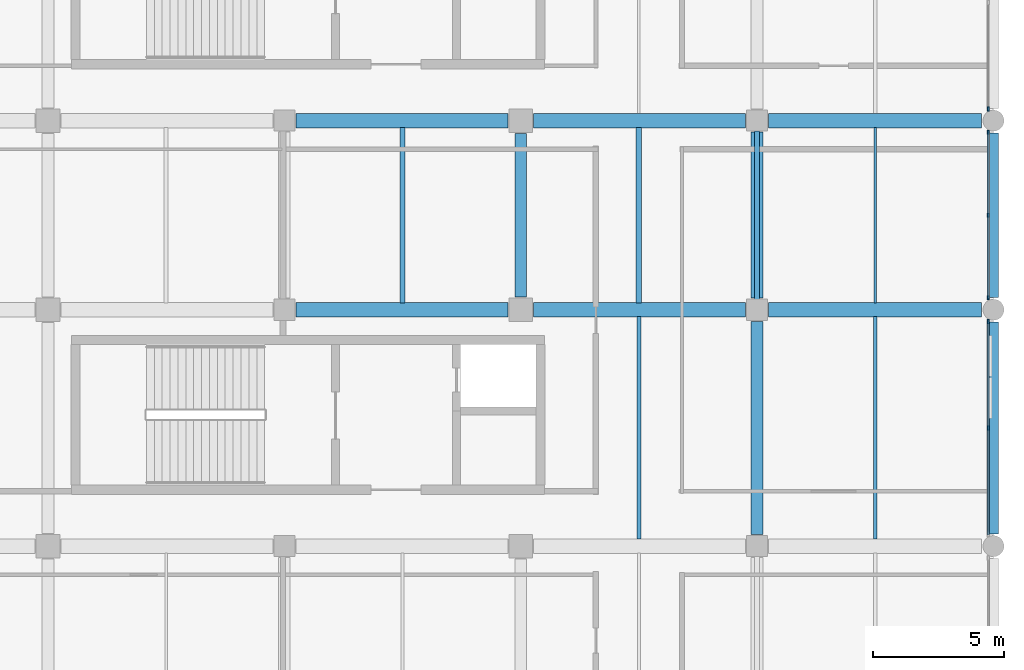
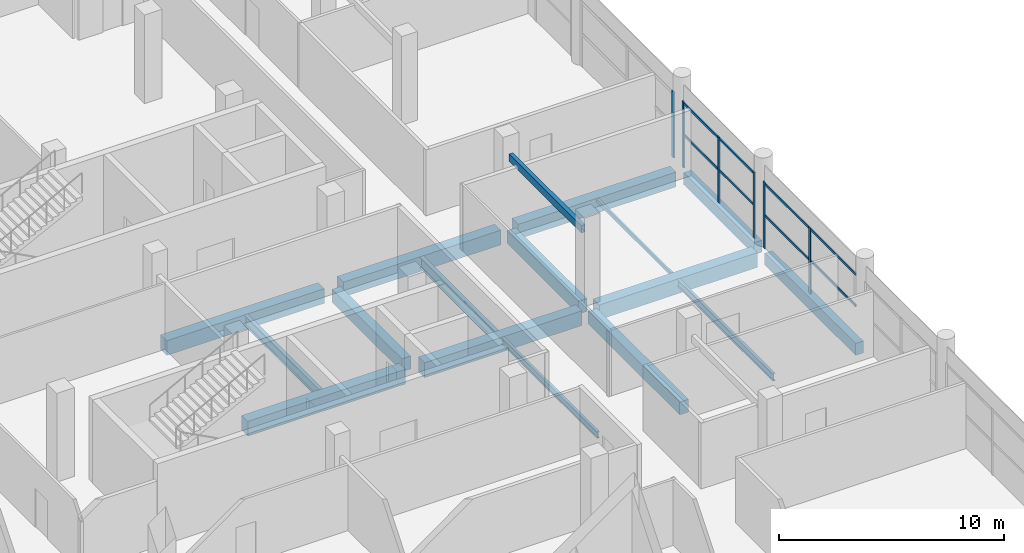
# One storey, part 39 of 111: 16 beams, 11 members, 3 elements without a shape of their own.
"""IFC4 building model written with IfcOpenShell, lengths in metres."""

from ifc_helpers import new_model, si_unit, direction, frame, origin, origin_2d, place, context, subcontext, project, spatial, rectangle, hollow_rectangle, i_section, extrude, material, material_profile, profile_set, type_object, element, aggregate, save


model = new_model("IFC4")

# Units and contexts
model_context = context("Model", 3, precision=1e-05, world=origin(), true_north=direction((0.0, 1.0)))
body_context = subcontext(model_context, "Body", "Model", "MODEL_VIEW")
ifc_project = project(units=[si_unit("LENGTHUNIT", "METRE"), si_unit("AREAUNIT", "SQUARE_METRE"), si_unit("VOLUMEUNIT", "CUBIC_METRE"), si_unit("PLANEANGLEUNIT", "RADIAN"), si_unit("MASSUNIT", "GRAM", prefix="KILO"), si_unit("THERMODYNAMICTEMPERATUREUNIT", "KELVIN"), si_unit("POWERUNIT", "WATT")], contexts=[model_context])

# Site, building, storey
site_placement = place(None, origin())
site = spatial("IfcSite", under=ifc_project, at=site_placement, CompositionType="ELEMENT")
building_placement = place(site_placement, origin())
building = spatial("IfcBuilding", under=site, at=building_placement, Name="Sindhuravela Promenade Stadium", CompositionType="ELEMENT")
storey_placement = place(building_placement, frame((0.0, 0.0, 9.60009765625)))
storey = spatial("IfcBuildingStorey", under=building, at=storey_placement, Name="L02", CompositionType="ELEMENT", Elevation=9.60009765625)

# Curtain wall, member
ifc_material_1 = material(Name="Anodised architectural aluminium 6063-T6", Category="aluminium")
curtain_wall_type_1 = type_object("IfcCurtainWallType", Name="CW-MOD-5", PredefinedType="NOTDEFINED", material=ifc_material_1)
curtain_wall_1_placement = place(storey_placement, origin())
curtain_wall_1 = element("IfcCurtainWall", 1, at=curtain_wall_1_placement, inside=storey, type_object=curtain_wall_type_1, Name="Bronze curtain wall CW-EAST-L02-108", PredefinedType="NOTDEFINED")
ifc_material_profile_1 = material_profile(ifc_material_1, rectangle(XDim=0.074951171875, YDim=0.175048828125, at=origin_2d()), Name="ALU MULL 75x175")
ifc_profile_set_1 = profile_set([ifc_material_profile_1], Name="Anodised architectural aluminium 6063-T6")
member_type_1 = type_object("IfcMemberType", Name="CW-MUL-1", PredefinedType="MULLION", material=ifc_profile_set_1)
member_1_placement = place(storey_placement, frame((215.800048828125, 101.25, 0.0), z_axis=(0.0, 0.0, 1.0), x_axis=(1.0, 0.0, 0.0)))
member_1 = element("IfcMember", 2, at=member_1_placement, type_object=member_type_1, Name="Curtain wall mullion CW-EAST-L02-108-M3", PredefinedType="MULLION", context=body_context, shape_type="SweptSolid", body=[
    extrude(rectangle(XDim=0.074951171875, YDim=0.175048828125, at=origin_2d()), origin(), (0.0, 0.0, 1.0), 3.579833984375),
])
aggregate(curtain_wall_1, [member_1])

# Curtain wall, members
curtain_wall_type_2 = type_object("IfcCurtainWallType", Name="CW-MOD-6", PredefinedType="NOTDEFINED", material=ifc_material_1)
curtain_wall_2_placement = place(storey_placement, origin())
curtain_wall_2 = element("IfcCurtainWall", 3, at=curtain_wall_2_placement, inside=storey, type_object=curtain_wall_type_2, Name="Bronze curtain wall CW-EAST-L02-109", PredefinedType="NOTDEFINED")
ifc_material_profile_2 = material_profile(ifc_material_1, rectangle(XDim=0.06494140625, YDim=0.14990234375, at=origin_2d()), Name="ALU MULL 65x150")
ifc_profile_set_2 = profile_set([ifc_material_profile_2], Name="Anodised architectural aluminium 6063-T6")
member_type_2 = type_object("IfcMemberType", Name="CW-MUL-2", PredefinedType="MULLION", material=ifc_profile_set_2)
member_2_placement = place(storey_placement, frame((215.800048828125, 100.35009765625, 0.0), z_axis=(0.0, 0.0, 1.0), x_axis=(1.0, 0.0, 0.0)))
member_2 = element("IfcMember", 4, at=member_2_placement, type_object=member_type_2, Name="Curtain wall mullion CW-EAST-L02-109-M1", PredefinedType="MULLION", context=body_context, shape_type="SweptSolid", body=[
    extrude(rectangle(XDim=0.06494140625, YDim=0.14990234375, at=origin_2d()), origin(), (0.0, 0.0, 1.0), 3.579833984375),
])
member_3_placement = place(storey_placement, frame((215.800048828125, 97.199951171875, 0.0), z_axis=(0.0, 0.0, 1.0), x_axis=(1.0, 0.0, 0.0)))
member_3 = element("IfcMember", 5, at=member_3_placement, type_object=member_type_2, Name="Curtain wall mullion CW-EAST-L02-109-M2", PredefinedType="MULLION", context=body_context, shape_type="SweptSolid", body=[
    extrude(rectangle(XDim=0.06494140625, YDim=0.14990234375, at=origin_2d()), origin(), (0.0, 0.0, 1.0), 3.579833984375),
])
member_4_placement = place(storey_placement, frame((215.800048828125, 94.050048828125, 0.0), z_axis=(0.0, 0.0, 1.0), x_axis=(1.0, 0.0, 0.0)))
member_4 = element("IfcMember", 6, at=member_4_placement, type_object=member_type_2, Name="Curtain wall mullion CW-EAST-L02-109-M3", PredefinedType="MULLION", context=body_context, shape_type="SweptSolid", body=[
    extrude(rectangle(XDim=0.06494140625, YDim=0.14990234375, at=origin_2d()), origin(), (0.0, 0.0, 1.0), 3.579833984375),
])

curtain_wall_type_3 = type_object("IfcCurtainWallType", Name="CW-MOD-7", PredefinedType="NOTDEFINED", material=ifc_material_1)
curtain_wall_3_placement = place(storey_placement, origin())
curtain_wall_3 = element("IfcCurtainWall", 7, at=curtain_wall_3_placement, inside=storey, type_object=curtain_wall_type_3, Name="Bronze curtain wall CW-EAST-L02-110", PredefinedType="NOTDEFINED")
ifc_material_profile_3 = material_profile(ifc_material_1, rectangle(XDim=0.06005859375, YDim=0.179931640625, at=origin_2d()), Name="ALU M60x180")
ifc_profile_set_3 = profile_set([ifc_material_profile_3], Name="Anodised architectural aluminium 6063-T6")
member_type_3 = type_object("IfcMemberType", Name="CW-MUL-3", PredefinedType="MULLION", material=ifc_profile_set_3)
member_5_placement = place(storey_placement, frame((215.800048828125, 93.14990234375, 0.0), z_axis=(0.0, 0.0, 1.0), x_axis=(1.0, 0.0, 0.0)))
member_5 = element("IfcMember", 8, at=member_5_placement, type_object=member_type_3, Name="Curtain wall mullion CW-EAST-L02-110-M1", PredefinedType="MULLION", context=body_context, shape_type="SweptSolid", body=[
    extrude(rectangle(XDim=0.06005859375, YDim=0.179931640625, at=origin_2d()), origin(), (0.0, 0.0, 1.0), 3.579833984375),
])
member_6_placement = place(storey_placement, frame((215.800048828125, 89.10009765625, 0.0), z_axis=(0.0, 0.0, 1.0), x_axis=(1.0, 0.0, 0.0)))
member_6 = element("IfcMember", 9, at=member_6_placement, type_object=member_type_3, Name="Curtain wall mullion CW-EAST-L02-110-M2", PredefinedType="MULLION", context=body_context, shape_type="SweptSolid", body=[
    extrude(rectangle(XDim=0.06005859375, YDim=0.179931640625, at=origin_2d()), origin(), (0.0, 0.0, 1.0), 3.579833984375),
])

# Member
ifc_material_profile_4 = material_profile(ifc_material_1, rectangle(XDim=0.06494140625, YDim=0.125, at=origin_2d()), Name="ALU TRAN 65x125")
ifc_profile_set_4 = profile_set([ifc_material_profile_4], Name="Anodised architectural aluminium 6063-T6")
member_type_4 = type_object("IfcMemberType", Name="CW-TRN-2", PredefinedType="USERDEFINED", material=ifc_profile_set_4)
member_7_placement = place(storey_placement, frame((215.800048828125, 100.375, 1.789794921875), z_axis=(0.0, -1.0, 0.0), x_axis=(1.0, 0.0, 0.0)))
member_7 = element("IfcMember", 10, at=member_7_placement, type_object=member_type_4, Name="Curtain wall transom CW-EAST-L02-109-T1", ObjectType="TRANSOM", PredefinedType="USERDEFINED", context=body_context, shape_type="SweptSolid", body=[
    extrude(rectangle(XDim=0.06494140625, YDim=0.125, at=origin_2d()), origin(), (0.0, 0.0, 1.0), 6.35009765625),
])

member_8_placement = place(storey_placement, frame((215.800048828125, 100.375, 3.5), z_axis=(0.0, -1.0, 0.0), x_axis=(1.0, 0.0, 0.0)))
member_8 = element("IfcMember", 11, at=member_8_placement, type_object=member_type_4, Name="Curtain wall transom CW-EAST-L02-109-T2", ObjectType="TRANSOM", PredefinedType="USERDEFINED", context=body_context, shape_type="SweptSolid", body=[
    extrude(rectangle(XDim=0.06494140625, YDim=0.125, at=origin_2d()), origin(), (0.0, 0.0, 1.0), 6.35009765625),
])

aggregate(curtain_wall_2, [member_2, member_3, member_4, member_7, member_8])

ifc_material_profile_5 = material_profile(ifc_material_1, rectangle(XDim=0.06005859375, YDim=0.1298828125, at=origin_2d()), Name="ALU T60x130")
ifc_profile_set_5 = profile_set([ifc_material_profile_5], Name="Anodised architectural aluminium 6063-T6")
member_type_5 = type_object("IfcMemberType", Name="CW-TRN-3", PredefinedType="USERDEFINED", material=ifc_profile_set_5)
member_9_placement = place(storey_placement, frame((215.800048828125, 93.175048828125, 1.789794921875), z_axis=(0.0, -1.0, 0.0), x_axis=(1.0, 0.0, 0.0)))
member_9 = element("IfcMember", 12, at=member_9_placement, type_object=member_type_5, Name="Curtain wall transom CW-EAST-L02-110-T1", ObjectType="TRANSOM", PredefinedType="USERDEFINED", context=body_context, shape_type="SweptSolid", body=[
    extrude(rectangle(XDim=0.06005859375, YDim=0.1298828125, at=origin_2d()), origin(), (0.0, 0.0, 1.0), 8.150146484375),
])

member_10_placement = place(storey_placement, frame((215.800048828125, 93.175048828125, 3.5), z_axis=(0.0, -1.0, 0.0), x_axis=(1.0, 0.0, 0.0)))
member_10 = element("IfcMember", 13, at=member_10_placement, type_object=member_type_5, Name="Curtain wall transom CW-EAST-L02-110-T2", ObjectType="TRANSOM", PredefinedType="USERDEFINED", context=body_context, shape_type="SweptSolid", body=[
    extrude(rectangle(XDim=0.06005859375, YDim=0.1298828125, at=origin_2d()), origin(), (0.0, 0.0, 1.0), 8.150146484375),
])

aggregate(curtain_wall_3, [member_5, member_6, member_9, member_10])

# Beams
ifc_material_2 = material(Name="Concrete M40", Category="concrete")
ifc_material_profile_6 = material_profile(ifc_material_2, rectangle(XDim=0.39990234375, YDim=0.64990234375, at=origin_2d()), Name="RC 400x650")
ifc_profile_set_6 = profile_set([ifc_material_profile_6], Name="Concrete M40")
beam_type_1 = type_object("IfcBeamType", Name="RC-BM-400x650", PredefinedType="SPANDREL", material=ifc_profile_set_6)
beam_1_placement = place(storey_placement, frame((216.0, 85.06494140625, -0.60498046875), z_axis=(0.0, 1.0, 0.0), x_axis=(-1.0, 0.0, 0.0)))
element("IfcBeam", 14, at=beam_1_placement, inside=storey, type_object=beam_type_1, Name="Primary beam SP01 EAST L02", PredefinedType="SPANDREL", context=body_context, shape_type="SweptSolid", body=[
    extrude(rectangle(XDim=0.39990234375, YDim=0.64990234375, at=origin_2d()), origin(), (0.0, 0.0, 1.0), 8.070068359375),
])
beam_2_placement = place(storey_placement, frame((216.0, 94.06494140625, -0.60498046875), z_axis=(0.0, 1.0, 0.0), x_axis=(-1.0, 0.0, 0.0)))
element("IfcBeam", 15, at=beam_2_placement, inside=storey, type_object=beam_type_1, Name="Primary beam SP01 EAST L02", PredefinedType="SPANDREL", context=body_context, shape_type="SweptSolid", body=[
    extrude(rectangle(XDim=0.39990234375, YDim=0.64990234375, at=origin_2d()), origin(), (0.0, 0.0, 1.0), 6.27001953125),
])
ifc_material_profile_7 = material_profile(ifc_material_2, rectangle(XDim=0.449951171875, YDim=0.699951171875, at=origin_2d()), Name="RC 450x700")
ifc_profile_set_7 = profile_set([ifc_material_profile_7], Name="Concrete M40")
beam_type_2 = type_object("IfcBeamType", Name="RC-BM-450x700", PredefinedType="BEAM", material=ifc_profile_set_7)
beam_3_placement = place(storey_placement, frame((198.0, 94.090087890625, -0.630126953125), z_axis=(0.0, 1.0, 0.0), x_axis=(-1.0, 0.0, 0.0)))
element("IfcBeam", 16, at=beam_3_placement, inside=storey, type_object=beam_type_2, Name="Primary beam GB07 EAST L02", PredefinedType="BEAM", context=body_context, shape_type="SweptSolid", body=[
    extrude(rectangle(XDim=0.449951171875, YDim=0.699951171875, at=origin_2d()), origin(), (0.0, 0.0, 1.0), 6.219970703125),
])
beam_4_placement = place(storey_placement, frame((207.0, 85.0400390625, -0.630126953125), z_axis=(0.0, 1.0, 0.0), x_axis=(-1.0, 0.0, 0.0)))
element("IfcBeam", 17, at=beam_4_placement, inside=storey, type_object=beam_type_2, Name="Primary beam GB07 EAST L02", PredefinedType="BEAM", context=body_context, shape_type="SweptSolid", body=[
    extrude(rectangle(XDim=0.449951171875, YDim=0.699951171875, at=origin_2d()), origin(), (0.0, 0.0, 1.0), 8.119873046875),
])
beam_5_placement = place(storey_placement, frame((207.0, 94.0400390625, -0.630126953125), z_axis=(0.0, 1.0, 0.0), x_axis=(-1.0, 0.0, 0.0)))
element("IfcBeam", 18, at=beam_5_placement, inside=storey, type_object=beam_type_2, Name="Primary beam GB07 EAST L02", PredefinedType="BEAM", context=body_context, shape_type="SweptSolid", body=[
    extrude(rectangle(XDim=0.449951171875, YDim=0.699951171875, at=origin_2d()), origin(), (0.0, 0.0, 1.0), 6.320068359375),
])
ifc_material_profile_8 = material_profile(ifc_material_2, rectangle(XDim=0.550048828125, YDim=0.800048828125, at=origin_2d()), Name="RC 550x800")
ifc_profile_set_8 = profile_set([ifc_material_profile_8], Name="Concrete M40")
beam_type_3 = type_object("IfcBeamType", Name="RC-BM-550x800", PredefinedType="BEAM", material=ifc_profile_set_8)
for number, where, z_axis, x_axis, name in (
    (19, (189.43994140625, 93.60009765625, -0.68017578125), (1.0, 0.0, 0.0), (0.0, 1.0, 0.0), "Primary girder GB05 EAST L02"),
    (20, (198.489990234375, 93.60009765625, -0.68017578125), (1.0, 0.0, 0.0), (0.0, 1.0, 0.0), "Primary girder GB05 EAST L02"),
):
    element("IfcBeam", number, at=place(storey_placement, frame(where, z_axis=z_axis, x_axis=x_axis)), inside=storey, type_object=beam_type_3, Name=name, PredefinedType="BEAM", context=body_context, shape_type="SweptSolid", body=[
        extrude(rectangle(XDim=0.550048828125, YDim=0.800048828125, at=origin_2d()), origin(), (0.0, 0.0, 1.0), 8.070068359375),
    ])
beam_6_placement = place(storey_placement, frame((207.43994140625, 93.60009765625, -0.68017578125), z_axis=(1.0, 0.0, 0.0), x_axis=(0.0, 1.0, 0.0)))
element("IfcBeam", 21, at=beam_6_placement, inside=storey, type_object=beam_type_3, Name="Primary girder GB05 EAST L02", PredefinedType="BEAM", context=body_context, shape_type="SweptSolid", body=[
    extrude(rectangle(XDim=0.550048828125, YDim=0.800048828125, at=origin_2d()), origin(), (0.0, 0.0, 1.0), 8.094970703125),
])
for number, where, z_axis, x_axis, name in (
    (22, (189.43994140625, 100.800048828125, -0.68017578125), (1.0, 0.0, 0.0), (0.0, 1.0, 0.0), "Primary girder GB05 EAST L02"),
    (23, (198.489990234375, 100.800048828125, -0.68017578125), (1.0, 0.0, 0.0), (0.0, 1.0, 0.0), "Primary girder GB05 EAST L02"),
):
    element("IfcBeam", number, at=place(storey_placement, frame(where, z_axis=z_axis, x_axis=x_axis)), inside=storey, type_object=beam_type_3, Name=name, PredefinedType="BEAM", context=body_context, shape_type="SweptSolid", body=[
        extrude(rectangle(XDim=0.550048828125, YDim=0.800048828125, at=origin_2d()), origin(), (0.0, 0.0, 1.0), 8.070068359375),
    ])
beam_7_placement = place(storey_placement, frame((207.43994140625, 100.800048828125, -0.68017578125), z_axis=(1.0, 0.0, 0.0), x_axis=(0.0, 1.0, 0.0)))
element("IfcBeam", 24, at=beam_7_placement, inside=storey, type_object=beam_type_3, Name="Primary girder GB05 EAST L02", PredefinedType="BEAM", context=body_context, shape_type="SweptSolid", body=[
    extrude(rectangle(XDim=0.550048828125, YDim=0.800048828125, at=origin_2d()), origin(), (0.0, 0.0, 1.0), 8.094970703125),
])
ifc_material_3 = material(Name="Steel E350 (IS 2062 E350BR)", Category="steel")
ifc_material_profile_9 = material_profile(ifc_material_3, hollow_rectangle(XDim=0.10009765625, YDim=0.199951171875, WallThickness=0.008056640625, at=origin_2d()), Name="RHS 200x100x8")
ifc_profile_set_9 = profile_set([ifc_material_profile_9], Name="Steel E350 (IS 2062 E350BR)")
beam_type_4 = type_object("IfcBeamType", Name="ST-BM-LNT200", PredefinedType="LINTEL", material=ifc_profile_set_9)
beam_8_placement = place(storey_placement, frame((211.5, 93.864990234375, -0.380126953125), z_axis=(0.0, 1.0, 0.0), x_axis=(-1.0, 0.0, 0.0)))
element("IfcBeam", 25, at=beam_8_placement, inside=storey, type_object=beam_type_4, Name="Secondary floor joist LN01 EAST L02", PredefinedType="LINTEL", context=body_context, shape_type="SweptSolid", body=[
    extrude(hollow_rectangle(XDim=0.10009765625, YDim=0.199951171875, WallThickness=0.008056640625, at=origin_2d()), origin(), (0.0, 0.0, 1.0), 6.669921875),
])
ifc_material_profile_10 = material_profile(ifc_material_3, i_section(OverallWidth=0.139892578125, OverallDepth=0.35009765625, WebThickness=0.008056640625, FlangeThickness=0.01416015625, FilletRadius=0.013916015625, at=origin_2d()), Name="ISMB 350")
ifc_profile_set_10 = profile_set([ifc_material_profile_10], Name="Steel E350 (IS 2062 E350BR)")
beam_type_5 = type_object("IfcBeamType", Name="ST-BM-MB350", PredefinedType="JOIST", material=ifc_profile_set_10)
beam_9_placement = place(storey_placement, frame((202.5, 84.864990234375, -0.455078125), z_axis=(0.0, 1.0, 0.0), x_axis=(-1.0, 0.0, 0.0)))
element("IfcBeam", 26, at=beam_9_placement, inside=storey, type_object=beam_type_5, Name="Secondary floor joist SB04 EAST L02", PredefinedType="JOIST", context=body_context, shape_type="SweptSolid", body=[
    extrude(i_section(OverallWidth=0.139892578125, OverallDepth=0.35009765625, WebThickness=0.008056640625, FlangeThickness=0.01416015625, FilletRadius=0.013916015625, at=origin_2d()), origin(), (0.0, 0.0, 1.0), 8.469970703125),
])
ifc_material_profile_11 = material_profile(ifc_material_3, i_section(OverallWidth=0.139892578125, OverallDepth=0.39990234375, WebThickness=0.0087890625, FlangeThickness=0.01611328125, FilletRadius=0.013916015625, at=origin_2d()), Name="ISMB 400")
ifc_profile_set_11 = profile_set([ifc_material_profile_11], Name="Steel E350 (IS 2062 E350BR)")
beam_type_6 = type_object("IfcBeamType", Name="ST-BM-MB400", PredefinedType="BEAM", material=ifc_profile_set_11)
beam_10_placement = place(storey_placement, frame((211.5, 84.864990234375, -0.47998046875), z_axis=(0.0, 1.0, 0.0), x_axis=(-1.0, 0.0, 0.0)))
element("IfcBeam", 27, at=beam_10_placement, inside=storey, type_object=beam_type_6, Name="Secondary floor joist SB05 EAST L02", PredefinedType="BEAM", context=body_context, shape_type="SweptSolid", body=[
    extrude(i_section(OverallWidth=0.139892578125, OverallDepth=0.39990234375, WebThickness=0.0087890625, FlangeThickness=0.01611328125, FilletRadius=0.013916015625, at=origin_2d()), origin(), (0.0, 0.0, 1.0), 8.469970703125),
])
ifc_material_profile_12 = material_profile(ifc_material_3, i_section(OverallWidth=0.18994140625, OverallDepth=0.550048828125, WebThickness=0.01123046875, FlangeThickness=0.019287109375, FilletRadius=0.01806640625, at=origin_2d()), Name="ISMB 550")
ifc_profile_set_12 = profile_set([ifc_material_profile_12], Name="Steel E350 (IS 2062 E350BR)")
beam_type_7 = type_object("IfcBeamType", Name="ST-BM-MB550", PredefinedType="SPANDREL", material=ifc_profile_set_12)
beam_11_placement = place(storey_placement, frame((193.5, 93.864990234375, -0.55517578125), z_axis=(0.0, 1.0, 0.0), x_axis=(-1.0, 0.0, 0.0)))
element("IfcBeam", 28, at=beam_11_placement, inside=storey, type_object=beam_type_7, Name="Secondary floor joist SB08 EAST L02", PredefinedType="SPANDREL", context=body_context, shape_type="SweptSolid", body=[
    extrude(i_section(OverallWidth=0.18994140625, OverallDepth=0.550048828125, WebThickness=0.01123046875, FlangeThickness=0.019287109375, FilletRadius=0.01806640625, at=origin_2d()), origin(), (0.0, 0.0, 1.0), 6.669921875),
])
ifc_material_profile_13 = material_profile(ifc_material_3, i_section(OverallWidth=0.2099609375, OverallDepth=0.60009765625, WebThickness=0.011962890625, FlangeThickness=0.020751953125, FilletRadius=0.02001953125, at=origin_2d()), Name="ISMB 600")
ifc_profile_set_13 = profile_set([ifc_material_profile_13], Name="Steel E350 (IS 2062 E350BR)")
beam_type_8 = type_object("IfcBeamType", Name="ST-BM-MB600", PredefinedType="BEAM", material=ifc_profile_set_13)
beam_12_placement = place(storey_placement, frame((202.5, 93.864990234375, -0.580078125), z_axis=(0.0, 1.0, 0.0), x_axis=(-1.0, 0.0, 0.0)))
element("IfcBeam", 29, at=beam_12_placement, inside=storey, type_object=beam_type_8, Name="Secondary floor joist SB09 EAST L02", PredefinedType="BEAM", context=body_context, shape_type="SweptSolid", body=[
    extrude(i_section(OverallWidth=0.2099609375, OverallDepth=0.60009765625, WebThickness=0.011962890625, FlangeThickness=0.020751953125, FilletRadius=0.02001953125, at=origin_2d()), origin(), (0.0, 0.0, 1.0), 6.669921875),
])

# Member
ifc_material_profile_14 = material_profile(ifc_material_3, hollow_rectangle(XDim=0.199951171875, YDim=0.39990234375, WallThickness=0.011962890625, at=origin_2d()), Name="RHS 400x200x12")
ifc_profile_set_14 = profile_set([ifc_material_profile_14], Name="Steel E350 (IS 2062 E350BR)")
member_type_6 = type_object("IfcMemberType", Name="ST-MB-RHS400", PredefinedType="CHORD", material=ifc_profile_set_14)
member_11_placement = place(storey_placement, frame((207.0, 93.991943359375, 3.599853515625), z_axis=(0.0, 1.0, 0.0), x_axis=(-1.0, 0.0, 0.0)))
element("IfcMember", 30, at=member_11_placement, inside=storey, type_object=member_type_6, Name="Portal tie member MC03-22", PredefinedType="CHORD", context=body_context, shape_type="SweptSolid", body=[
    extrude(hollow_rectangle(XDim=0.199951171875, YDim=0.39990234375, WallThickness=0.011962890625, at=origin_2d()), origin(), (0.0, 0.0, 1.0), 6.416015625),
])

save(model, "model.ifc")
